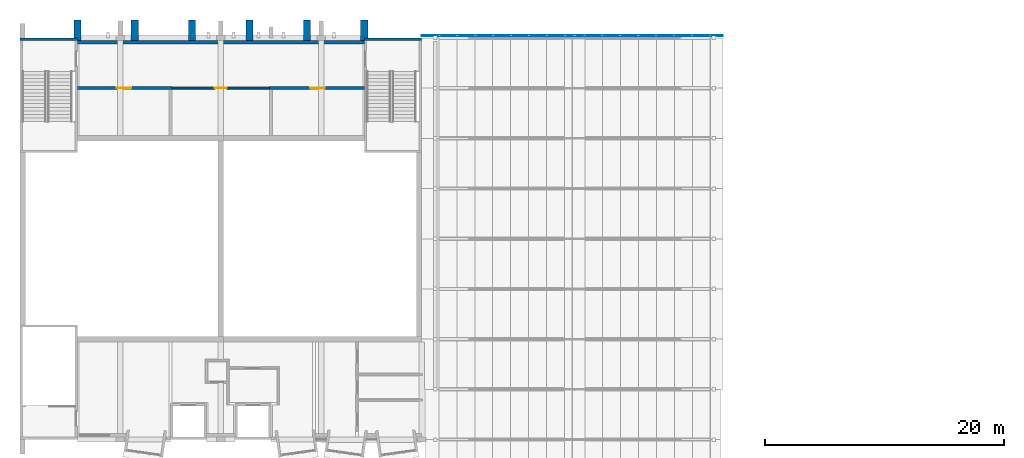
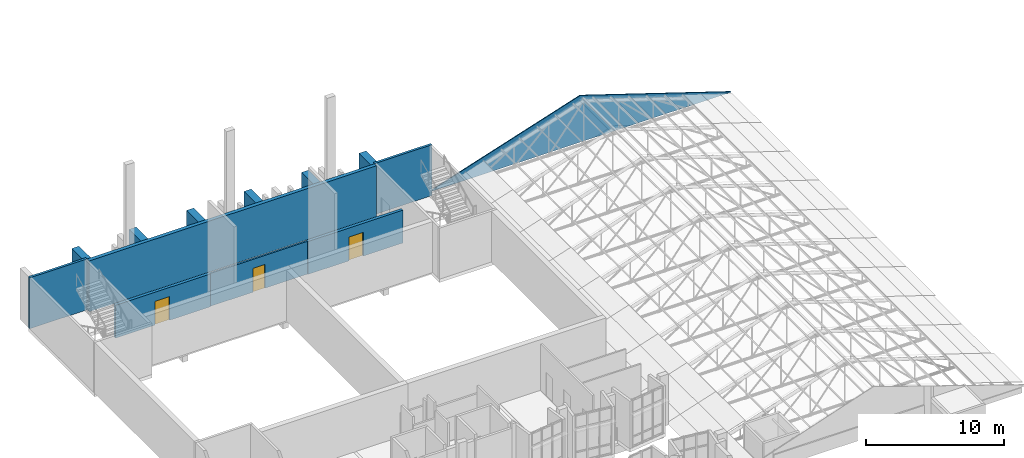
# One storey, part 85 of 95: 13 walls, 3 doors, 3 openings.
"""IFC4 building model written with IfcOpenShell, lengths in metres."""

from ifc_helpers import new_model, si_unit, direction, frame, frame_2d, origin, place, context, subcontext, project, spatial, polyline, rectangle, outline, extrude, material, layer, layer_set, type_object, element, fill, save


model = new_model("IFC4")

# Units and contexts
model_context = context("Model", 3, precision=1e-05, world=origin(), true_north=direction((0.0, 1.0)))
body_context = subcontext(model_context, "Body", "Model", "MODEL_VIEW")
ifc_project = project(units=[si_unit("LENGTHUNIT", "METRE"), si_unit("AREAUNIT", "SQUARE_METRE"), si_unit("VOLUMEUNIT", "CUBIC_METRE"), si_unit("PLANEANGLEUNIT", "RADIAN"), si_unit("MASSUNIT", "GRAM", prefix="KILO")], contexts=[model_context])

# Site, building, storey
site_placement = place(None, origin())
site = spatial("IfcSite", under=ifc_project, at=site_placement, CompositionType="ELEMENT")
building_placement = place(site_placement, origin())
building = spatial("IfcBuilding", under=site, at=building_placement, Name="Kiln Court Media Centre", CompositionType="ELEMENT")
storey_placement = place(building_placement, frame((0.0, 0.0, 24.60009765625)))
storey = spatial("IfcBuildingStorey", under=building, at=storey_placement, Name="L05", CompositionType="ELEMENT", Elevation=24.60009765625)

# Walls
ifc_material_1 = material(Name="Concrete C40/50", Category="concrete")
ifc_layer_1 = layer(ifc_material_1, 0.300048828125)
ifc_layer_set_1 = layer_set([ifc_layer_1], Name="Concrete C40/50 board-marked facade wall 300")
wall_type_1 = type_object("IfcWallType", Name="Concrete C40/50 board-marked facade wall 300", PredefinedType="SOLIDWALL", material=ifc_layer_set_1)
wall_1_placement = place(storey_placement, frame((4.800048828125, 66.85009765625, 0.0), z_axis=(0.0, 0.0, 1.0), x_axis=(1.0, 0.0, 0.0)))
element("IfcWall", 1, at=wall_1_placement, inside=storey, type_object=wall_type_1, Name="V4 N facade wall 4012", PredefinedType="SOLIDWALL", context=body_context, shape_type="SweptSolid", body=[
    extrude(rectangle(XDim=24.0, YDim=0.300048828125, at=frame_2d((12.0, 0.0))), origin(), (0.0, 0.0, 1.0), 4.5),
])
ifc_material_2 = material(Name="Concrete C40/50", Category="concrete")
ifc_layer_2 = layer(ifc_material_2, 0.60009765625)
ifc_layer_set_2 = layer_set([ifc_layer_2], Name="Concrete C40/50 cast rib 600x1500")
wall_type_2 = type_object("IfcWallType", Name="Concrete C40/50 cast rib 600x1500", PredefinedType="SOLIDWALL", material=ifc_layer_set_2)
for number, where, z_axis, x_axis, name in (
    (2, (4.800048828125, 67.0, 0.0), (0.0, 0.0, 1.0), (0.0, 1.0, 0.0), "V4 N cast rib 1"),
    (3, (9.60009765625, 67.0, 0.0), (0.0, 0.0, 1.0), (0.0, 1.0, 0.0), "V4 N cast rib 2"),
    (4, (14.39990234375, 67.0, 0.0), (0.0, 0.0, 1.0), (0.0, 1.0, 0.0), "V4 N cast rib 3"),
    (5, (19.199951171875, 67.0, 0.0), (0.0, 0.0, 1.0), (0.0, 1.0, 0.0), "V4 N cast rib 4"),
    (6, (24.0, 67.0, 0.0), (0.0, 0.0, 1.0), (0.0, 1.0, 0.0), "V4 N cast rib 5"),
    (7, (28.800048828125, 67.0, 0.0), (0.0, 0.0, 1.0), (0.0, 1.0, 0.0), "V4 N cast rib 6"),
):
    element("IfcWall", number, at=place(storey_placement, frame(where, z_axis=z_axis, x_axis=x_axis)), inside=storey, type_object=wall_type_2, Name=name, PredefinedType="SOLIDWALL", context=body_context, shape_type="SweptSolid", body=[
        extrude(rectangle(XDim=1.699951171875, YDim=0.60009765625, at=frame_2d((0.85009765625, 0.0))), origin(), (0.0, 0.0, 1.0), 4.5),
    ])
ifc_material_3 = material(Name="Concrete C40/50", Category="concrete")
ifc_layer_3 = layer(ifc_material_3, 0.199951171875)
ifc_layer_set_3 = layer_set([ifc_layer_3], Name="Concrete C40/50 shear wall 200")
wall_type_3 = type_object("IfcWallType", Name="Concrete C40/50 shear wall 200", PredefinedType="SHEAR", material=ifc_layer_set_3)
wall_2_placement = place(storey_placement, frame((0.00048828125, 67.10009765625, 0.0), z_axis=(0.0, 0.0, 1.0), x_axis=(1.0, 0.0, 0.0)))
element("IfcWall", 8, at=wall_2_placement, inside=storey, type_object=wall_type_3, Name="L05-W-1017", PredefinedType="SHEAR", context=body_context, shape_type="SweptSolid", body=[
    extrude(rectangle(XDim=4.799560546875, YDim=0.199951171875, at=frame_2d((2.39990234375, 0.0))), origin(), (0.0, 0.0, 1.0), 4.5),
])
wall_3_placement = place(storey_placement, frame((28.800048828125, 67.10009765625, 0.0), z_axis=(0.0, 0.0, 1.0), x_axis=(1.0, 0.0, 0.0)))
element("IfcWall", 9, at=wall_3_placement, inside=storey, type_object=wall_type_3, Name="L05-W-1021", PredefinedType="SHEAR", context=body_context, shape_type="SweptSolid", body=[
    extrude(rectangle(XDim=4.800048828125, YDim=0.199951171875, at=frame_2d((2.39990234375, 0.0))), origin(), (0.0, 0.0, 1.0), 4.5),
])

# Wall, opening, door
ifc_material_4 = material(Name="Gypsum plasterboard", Category="gypsum")
ifc_layer_4 = layer(ifc_material_4, 0.25)
ifc_layer_set_4 = layer_set([ifc_layer_4], Name="Double-leaf acoustic wall 250 EI 120")
wall_type_4 = type_object("IfcWallType", Name="Double-leaf acoustic wall 250 EI 120", PredefinedType="PARTITIONING", material=ifc_layer_set_4)
wall_4_placement = place(storey_placement, frame((4.800048828125, 63.0, 0.0), z_axis=(0.0, 0.0, 1.0), x_axis=(1.0, 0.0, 0.0)))
wall_4 = element("IfcWall", 10, at=wall_4_placement, inside=storey, type_object=wall_type_4, Name="L05 double-leaf acoustic wall", PredefinedType="PARTITIONING", context=body_context, shape_type="SweptSolid", body=[
    extrude(rectangle(XDim=7.925048828125, YDim=0.25, at=frame_2d((3.96240234375, 0.0))), origin(), (0.0, 0.0, 1.0), 2.89990234375),
])
opening_1_placement = place(wall_4_placement, frame((3.300048828125, 0.0, 0.0)))
opening_1 = element("IfcOpeningElement", 11, at=opening_1_placement, cuts=wall_4, Name="Opening D5007", PredefinedType="OPENING", context=body_context, shape_type="SweptSolid", body=[
    extrude(rectangle(XDim=1.199951171875, YDim=2.10009765625, at=frame_2d((0.60009765625, 1.050048828125))), frame((0.0, 0.135009765625, 0.0), z_axis=(0.0, -1.0, 0.0), x_axis=(1.0, 0.0, 0.0)), (0.0, 0.0, 1.0), 0.27001953125),
])
ifc_material_5 = material(Name="Steel S275", Category="steel")
door_type_1 = type_object("IfcDoorType", Name="Acoustic studio door 1200 x 2100 FD180", OperationType="SINGLE_SWING_LEFT", PredefinedType="DOOR", material=ifc_material_5)
door_1_placement = place(opening_1_placement, origin())
door_1 = element("IfcDoor", 12, at=door_1_placement, inside=storey, type_object=door_type_1, Name="Projection Room Screen 7 / Rear Exit Corridor", OperationType="SINGLE_SWING_LEFT", OverallHeight=2.10009765625, OverallWidth=1.199951171875, PredefinedType="DOOR", context=body_context, shape_type="SweptSolid", body=[
    extrude(rectangle(XDim=1.199951171875, YDim=2.10009765625, at=frame_2d((0.60009765625, 1.050048828125))), frame((0.0, 0.02490234375, 0.0), z_axis=(0.0, -1.0, 0.0), x_axis=(1.0, 0.0, 0.0)), (0.0, 0.0, 1.0), 0.050048828125),
])
fill(opening_1, door_1)

wall_5_placement = place(storey_placement, frame((20.875, 63.0, 0.0), z_axis=(0.0, 0.0, 1.0), x_axis=(1.0, 0.0, 0.0)))
wall_5 = element("IfcWall", 13, at=wall_5_placement, inside=storey, type_object=wall_type_4, Name="L05 double-leaf acoustic wall", PredefinedType="PARTITIONING", context=body_context, shape_type="SweptSolid", body=[
    extrude(rectangle(XDim=7.9248046875, YDim=0.25, at=frame_2d((3.96240234375, 0.0))), origin(), (0.0, 0.0, 1.0), 2.89990234375),
])
opening_2_placement = place(wall_5_placement, frame((3.425048828125, 0.0, 0.0)))
opening_2 = element("IfcOpeningElement", 14, at=opening_2_placement, cuts=wall_5, Name="Opening D5009", PredefinedType="OPENING", context=body_context, shape_type="SweptSolid", body=[
    extrude(rectangle(XDim=1.199951171875, YDim=2.10009765625, at=frame_2d((0.60009765625, 1.050048828125))), frame((0.0, 0.135009765625, 0.0), z_axis=(0.0, -1.0, 0.0), x_axis=(1.0, 0.0, 0.0)), (0.0, 0.0, 1.0), 0.27001953125),
])
door_2_placement = place(opening_2_placement, origin())
door_2 = element("IfcDoor", 15, at=door_2_placement, inside=storey, type_object=door_type_1, Name="Projection Room Screen 8 / Rear Exit Corridor", OperationType="SINGLE_SWING_LEFT", OverallHeight=2.10009765625, OverallWidth=1.199951171875, PredefinedType="DOOR", context=body_context, shape_type="SweptSolid", body=[
    extrude(rectangle(XDim=1.199951171875, YDim=2.10009765625, at=frame_2d((0.60009765625, 1.050048828125))), frame((0.0, 0.02490234375, 0.0), z_axis=(0.0, -1.0, 0.0), x_axis=(1.0, 0.0, 0.0)), (0.0, 0.0, 1.0), 0.050048828125),
])
fill(opening_2, door_2)

# Wall
ifc_material_6 = material(Name="Laminated low-E glazing", Category="glass")
ifc_layer_5 = layer(ifc_material_6, 0.080078125)
ifc_layer_set_5 = layer_set([ifc_layer_5], Name="Glazed gable infill wall 80")
wall_type_5 = type_object("IfcWallType", Name="Glazed gable infill wall 80", PredefinedType="MOVABLE", material=ifc_layer_set_5)
wall_6_placement = place(storey_placement, frame((33.60009765625, 67.37890625, 0.1083984375), z_axis=(0.0, 0.0, 1.0), x_axis=(1.0, 0.0, 0.0)))
element("IfcWall", 16, at=wall_6_placement, inside=storey, type_object=wall_type_5, Name="Foyer north gable glazing", PredefinedType="MOVABLE", context=body_context, shape_type="SweptSolid", body=[
    extrude(outline(polyline([(0.0, 0.0), (25.199951171875, 0.0), (25.199951171875, 0.050048828125), (12.60009765625, 4.12890625), (0.0, 0.050048828125), (0.0, 0.0)])), frame((0.0, 0.0400390625, 0.0), z_axis=(0.0, -1.0, 0.0), x_axis=(1.0, 0.0, 0.0)), (0.0, 0.0, 1.0), 0.080078125),
])

# Wall, opening, door
ifc_material_7 = material(Name="Gypsum plasterboard", Category="gypsum")
ifc_layer_6 = layer(ifc_material_7, 0.14990234375)
ifc_layer_set_6 = layer_set([ifc_layer_6], Name="Gypsum corridor partition 150 EI 60")
wall_type_6 = type_object("IfcWallType", Name="Gypsum corridor partition 150 EI 60", PredefinedType="PARTITIONING", material=ifc_layer_set_6)
wall_7_placement = place(storey_placement, frame((12.72509765625, 63.0, 0.0), z_axis=(0.0, 0.0, 1.0), x_axis=(1.0, 0.0, 0.0)))
wall_7 = element("IfcWall", 17, at=wall_7_placement, inside=storey, type_object=wall_type_6, Name="L05 gypsum corridor partition", PredefinedType="PARTITIONING", context=body_context, shape_type="SweptSolid", body=[
    extrude(rectangle(XDim=8.14990234375, YDim=0.14990234375, at=frame_2d((4.074951171875, 0.0))), origin(), (0.0, 0.0, 1.0), 2.89990234375),
])
opening_3_placement = place(wall_7_placement, frame((3.574951171875, 0.0, 0.0)))
opening_3 = element("IfcOpeningElement", 18, at=opening_3_placement, cuts=wall_7, Name="Opening D5008", PredefinedType="OPENING", context=body_context, shape_type="SweptSolid", body=[
    extrude(rectangle(XDim=1.0, YDim=2.10009765625, at=frame_2d((0.5, 1.050048828125))), frame((0.0, 0.0849609375, 0.0), z_axis=(0.0, -1.0, 0.0), x_axis=(1.0, 0.0, 0.0)), (0.0, 0.0, 1.0), 0.169921875),
])
ifc_material_8 = material(Name="Steel S275", Category="steel")
door_type_2 = type_object("IfcDoorType", Name="Steel corridor door 1000 x 2100 FD30S", OperationType="SINGLE_SWING_LEFT", PredefinedType="DOOR", material=ifc_material_8)
door_3_placement = place(opening_3_placement, origin())
door_3 = element("IfcDoor", 19, at=door_3_placement, inside=storey, type_object=door_type_2, Name="Rack Room / Rear Exit Corridor", OperationType="SINGLE_SWING_RIGHT", OverallHeight=2.10009765625, OverallWidth=1.0, PredefinedType="DOOR", context=body_context, shape_type="SweptSolid", body=[
    extrude(rectangle(XDim=1.0, YDim=2.10009765625, at=frame_2d((0.5, 1.050048828125))), frame((0.0, 0.02490234375, 0.0), z_axis=(0.0, -1.0, 0.0), x_axis=(1.0, 0.0, 0.0)), (0.0, 0.0, 1.0), 0.050048828125),
])
fill(opening_3, door_3)

save(model, "model.ifc")
